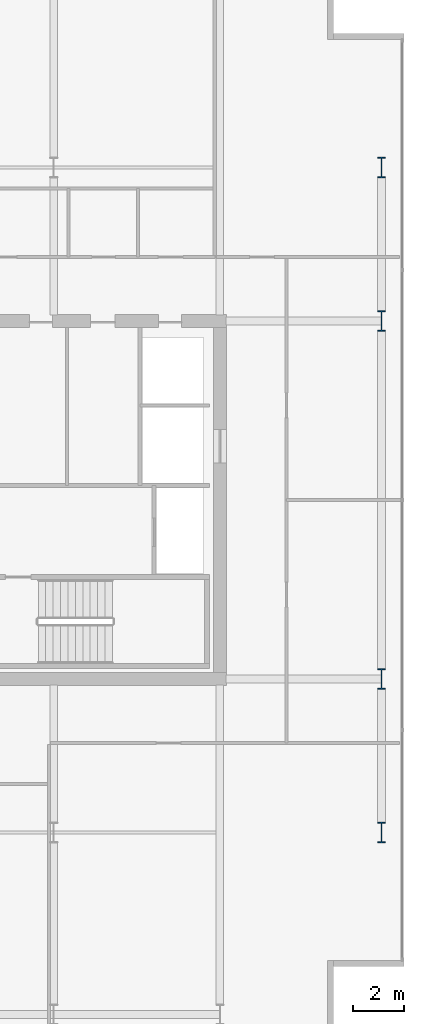
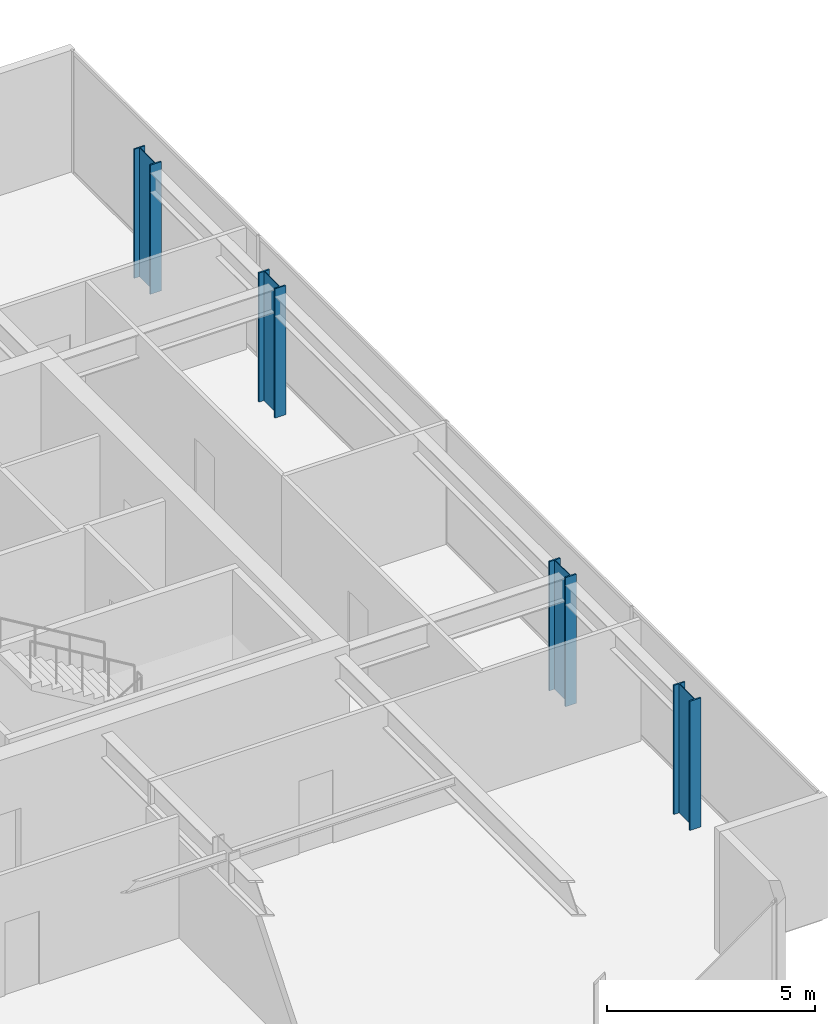
# One storey, part 2 of 23: 4 columns.
"""IFC4 building model written with IfcOpenShell, lengths in metres."""

from ifc_helpers import new_model, si_unit, direction, frame, origin, origin_2d, place, context, subcontext, project, spatial, i_section, extrude, material, material_profile, profile_set, type_object, element, save


model = new_model("IFC4")

# Units and contexts
model_context = context("Model", 3, precision=1e-05, world=origin(), true_north=direction((0.0, 1.0)))
body_context = subcontext(model_context, "Body", "Model", "MODEL_VIEW")
ifc_project = project(units=[si_unit("LENGTHUNIT", "METRE"), si_unit("AREAUNIT", "SQUARE_METRE"), si_unit("VOLUMEUNIT", "CUBIC_METRE"), si_unit("PLANEANGLEUNIT", "RADIAN"), si_unit("MASSUNIT", "GRAM", prefix="KILO")], contexts=[model_context])

# Site, building, storey
site_placement = place(None, origin())
site = spatial("IfcSite", under=ifc_project, at=site_placement, CompositionType="ELEMENT")
building_placement = place(site_placement, origin())
building = spatial("IfcBuilding", under=site, at=building_placement, Name="Putna Gate Headquarters", CompositionType="ELEMENT")
storey_placement = place(building_placement, frame((0.0, 0.0, 210.0)))
storey = spatial("IfcBuildingStorey", under=building, at=storey_placement, Name="L52", CompositionType="ELEMENT", Elevation=210.0)

# Columns
ifc_material = material(Name="Steel S460M", Category="steel")
ifc_material_profile = material_profile(ifc_material, i_section(OverallWidth=0.302978515625, OverallDepth=0.81396484375, WebThickness=0.02099609375, FlangeThickness=0.0400390625, at=origin_2d()), Name="Steel S460M")
ifc_profile_set = profile_set([ifc_material_profile], Name="Steel S460M")
column_type = type_object("IfcColumnType", Name="COL-STL-HEM800-EXT", PredefinedType="COLUMN", material=ifc_profile_set)
for number, where, z_axis, x_axis, name in (
    (1, (71.320068359375, 13.0, 0.0), (0.0, 0.0, 1.0), (1.0, 0.0, 0.0), "L52 Column CP-E13"),
    (2, (71.320068359375, 19.0, 0.0), (0.0, 0.0, 1.0), (1.0, 0.0, 0.0), "L52 Column CP-E19"),
    (3, (71.320068359375, 33.0, 0.0), (0.0, 0.0, 1.0), (1.0, 0.0, 0.0), "L52 Column CP-E33"),
    (4, (71.320068359375, 39.0, 0.0), (0.0, 0.0, 1.0), (1.0, 0.0, 0.0), "L52 Column CP-E39"),
):
    element("IfcColumn", number, at=place(storey_placement, frame(where, z_axis=z_axis, x_axis=x_axis)), inside=storey, type_object=column_type, Name=name, PredefinedType="COLUMN", context=body_context, shape_type="SweptSolid", body=[
        extrude(i_section(OverallWidth=0.302978515625, OverallDepth=0.81396484375, WebThickness=0.02099609375, FlangeThickness=0.0400390625, at=origin_2d()), origin(), (0.0, 0.0, 1.0), 3.800048828125),
    ])

save(model, "model.ifc")
